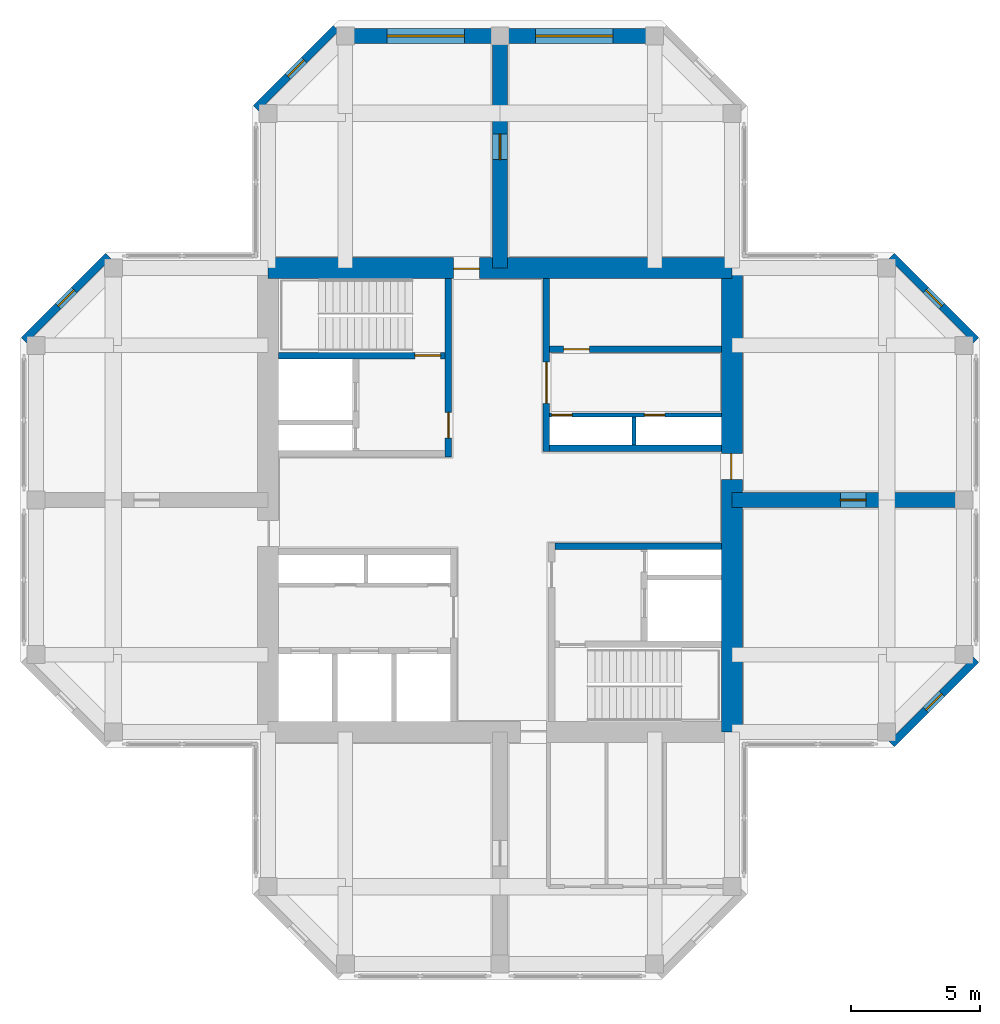
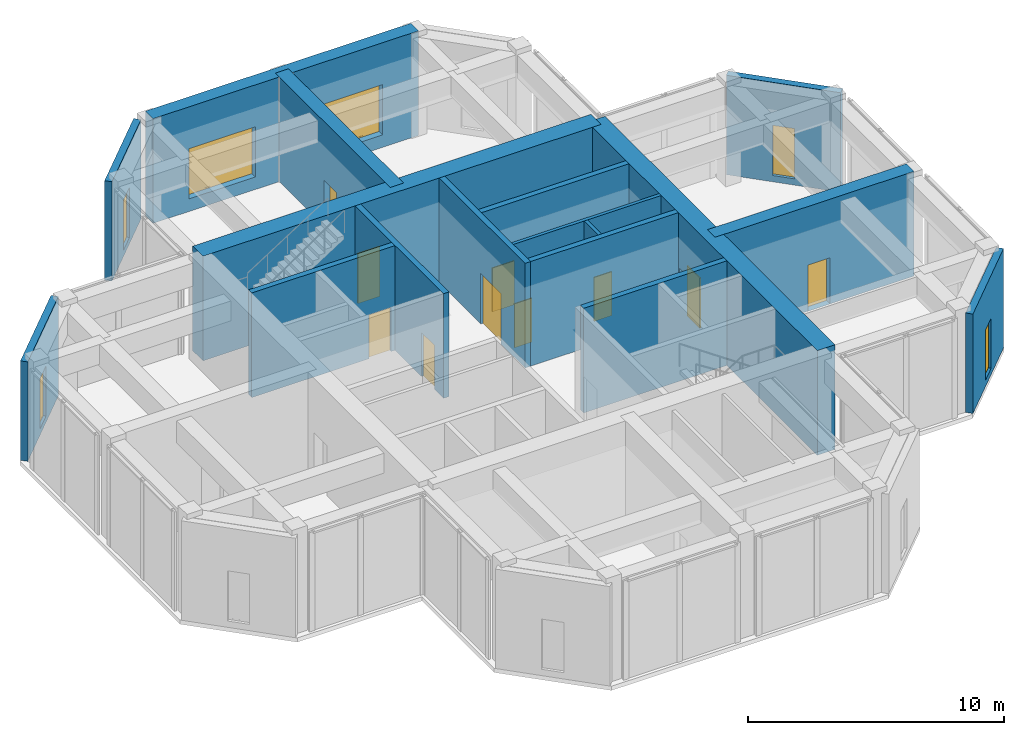
# One storey, part 6 of 8: 17 walls, 10 doors, 6 windows, 16 openings.
"""IFC4 building model written with IfcOpenShell, lengths in metres."""

from ifc_helpers import new_model, si_unit, direction, frame, frame_2d, origin, place, context, subcontext, project, spatial, rectangle, hollow_rectangle, extrude, material, layer, layer_set, constituent, constituent_set, type_object, element, fill, save


model = new_model("IFC4")

# Units and contexts
model_context = context("Model", 3, precision=1e-05, world=origin(), true_north=direction((0.0, 1.0)))
body_context = subcontext(model_context, "Body", "Model", "MODEL_VIEW")
ifc_project = project(units=[si_unit("LENGTHUNIT", "METRE"), si_unit("AREAUNIT", "SQUARE_METRE"), si_unit("VOLUMEUNIT", "CUBIC_METRE"), si_unit("PLANEANGLEUNIT", "RADIAN"), si_unit("MASSUNIT", "GRAM", prefix="KILO")], contexts=[model_context])

# Site, building, storey
site_placement = place(None, origin())
site = spatial("IfcSite", under=ifc_project, at=site_placement, CompositionType="ELEMENT")
building_placement = place(site_placement, origin())
building = spatial("IfcBuilding", under=site, at=building_placement, Name="Torre Cruceta", CompositionType="ELEMENT")
storey_placement = place(building_placement, frame((0.0, 0.0, 288.300048828125)))
storey = spatial("IfcBuildingStorey", under=building, at=storey_placement, Name="L75", CompositionType="ELEMENT", Elevation=288.300048828125)

# Wall, opening, door
ifc_material_1 = material(Name="Concrete G60 (fck 60 MPa)", Category="concrete")
ifc_layer_1 = layer(ifc_material_1, 0.25)
ifc_layer_set_1 = layer_set([ifc_layer_1], Name="Concrete G60 (fck 60 MPa)")
wall_type_1 = type_object("IfcWallType", Name="CORE INNER WALL 250 G60", PredefinedType="SHEAR", material=ifc_layer_set_1)
wall_1_placement = place(storey_placement, frame((1.800048828125, 1.875, 0.0), z_axis=(0.0, 0.0, 1.0), x_axis=(0.0, 1.0, 0.0)))
wall_1 = element("IfcWall", 1, at=wall_1_placement, inside=storey, type_object=wall_type_1, Name="CW4 L75 NE-CU", PredefinedType="SHEAR", context=body_context, shape_type="SweptSolid", body=[
    extrude(rectangle(XDim=6.72509765625, YDim=0.25, at=frame_2d((3.362548828125, 0.0))), origin(), (0.0, 0.0, 1.0), 5.0),
])
opening_1_placement = place(wall_1_placement, frame((1.875, 0.0, 0.0)))
opening_1 = element("IfcOpeningElement", 2, at=opening_1_placement, cuts=wall_1, Name="Opening D15", PredefinedType="OPENING", context=body_context, shape_type="SweptSolid", body=[
    extrude(rectangle(XDim=1.60009765625, YDim=2.39990234375, at=frame_2d((0.800048828125, 1.199951171875))), frame((0.0, 0.135009765625, 0.0), z_axis=(0.0, -1.0, 0.0), x_axis=(1.0, 0.0, 0.0)), (0.0, 0.0, 1.0), 0.27001953125),
])
ifc_material_2 = material(Name="Steel DX51D", Category="steel")
ifc_constituent_1 = constituent(ifc_material_2, Name="Leaf and frame")
ifc_material_3 = material(Name="Polyester powder coating", Category="paint")
ifc_constituent_2 = constituent(ifc_material_3, Name="Finish")
ifc_constituent_set_1 = constituent_set(constituents=[ifc_constituent_1, ifc_constituent_2], Name="Steel fire door")
door_type_1 = type_object("IfcDoorType", Name="CORE ROOM DOUBLE DOOR 1600X2400", OperationType="DOUBLE_DOOR_SINGLE_SWING", PredefinedType="DOOR", material=ifc_constituent_set_1)
door_1_placement = place(opening_1_placement, frame((1.60009765625, 0.0, 0.0), z_axis=(0.0, 0.0, 1.0), x_axis=(-1.0, 0.0, 0.0)))
door_1 = element("IfcDoor", 3, at=door_1_placement, inside=storey, type_object=door_type_1, Name="D15 L75 NE-LOBBY", OperationType="DOUBLE_DOOR_SINGLE_SWING", OverallHeight=2.39990234375, OverallWidth=1.60009765625, PredefinedType="DOOR", context=body_context, shape_type="SweptSolid", body=[
    extrude(rectangle(XDim=1.60009765625, YDim=2.39990234375, at=frame_2d((0.800048828125, 1.199951171875))), frame((0.0, 0.025146484375, 0.0), z_axis=(0.0, -1.0, 0.0), x_axis=(1.0, 0.0, 0.0)), (0.0, 0.0, 1.0), 0.050048828125),
])
fill(opening_1, door_1)

# Wall
wall_2_placement = place(storey_placement, frame((1.925048828125, 2.0, 0.0), z_axis=(0.0, 0.0, 1.0), x_axis=(1.0, 0.0, 0.0)))
element("IfcWall", 4, at=wall_2_placement, inside=storey, type_object=wall_type_1, Name="CW4 L75 NE-CV", PredefinedType="SHEAR", context=body_context, shape_type="SweptSolid", body=[
    extrude(rectangle(XDim=6.675048828125, YDim=0.25, at=frame_2d((3.33740234375, 0.0))), origin(), (0.0, 0.0, 1.0), 5.0),
])

# Wall, opening, door
wall_3_placement = place(storey_placement, frame((1.925048828125, 5.85009765625, 0.0), z_axis=(0.0, 0.0, 1.0), x_axis=(1.0, 0.0, 0.0)))
wall_3 = element("IfcWall", 5, at=wall_3_placement, inside=storey, type_object=wall_type_1, Name="CW4 L75 NE-LV", PredefinedType="SHEAR", context=body_context, shape_type="SweptSolid", body=[
    extrude(rectangle(XDim=6.675048828125, YDim=0.25, at=frame_2d((3.33740234375, 0.0))), origin(), (0.0, 0.0, 1.0), 5.0),
])
opening_2_placement = place(wall_3_placement, frame((0.5458984375, 0.0, 0.0)))
opening_2 = element("IfcOpeningElement", 6, at=opening_2_placement, cuts=wall_3, Name="Opening D3", PredefinedType="OPENING", context=body_context, shape_type="SweptSolid", body=[
    extrude(rectangle(XDim=1.0, YDim=2.10009765625, at=frame_2d((0.5, 1.050048828125))), frame((0.0, 0.135009765625, 0.0), z_axis=(0.0, -1.0, 0.0), x_axis=(1.0, 0.0, 0.0)), (0.0, 0.0, 1.0), 0.27001953125),
])
ifc_material_4 = material(Name="Steel DX51D", Category="steel")
ifc_constituent_3 = constituent(ifc_material_4, Name="Leaf and frame")
ifc_material_5 = material(Name="Polyester powder coating", Category="paint")
ifc_constituent_4 = constituent(ifc_material_5, Name="Finish")
ifc_constituent_set_2 = constituent_set(constituents=[ifc_constituent_3, ifc_constituent_4], Name="Steel fire door")
door_type_2 = type_object("IfcDoorType", Name="FIRE DOOR 1000X2100", OperationType="SINGLE_SWING_LEFT", PredefinedType="DOOR", material=ifc_constituent_set_2)
door_2_placement = place(opening_2_placement, origin())
door_2 = element("IfcDoor", 7, at=door_2_placement, inside=storey, type_object=door_type_2, Name="D3 L75 NE-HR1", OperationType="SINGLE_SWING_LEFT", OverallHeight=2.10009765625, OverallWidth=1.0, PredefinedType="DOOR", context=body_context, shape_type="SweptSolid", body=[
    extrude(rectangle(XDim=1.0, YDim=2.10009765625, at=frame_2d((0.5, 1.050048828125))), frame((0.0, 0.02490234375, 0.0), z_axis=(0.0, -1.0, 0.0), x_axis=(1.0, 0.0, 0.0)), (0.0, 0.0, 1.0), 0.050048828125),
])
fill(opening_2, door_2)

wall_4_placement = place(storey_placement, frame((-2.0, 1.675048828125, 0.0), z_axis=(0.0, 0.0, 1.0), x_axis=(0.0, 1.0, 0.0)))
wall_4 = element("IfcWall", 8, at=wall_4_placement, inside=storey, type_object=wall_type_1, Name="CW4 L75 NW-CU", PredefinedType="SHEAR", context=body_context, shape_type="SweptSolid", body=[
    extrude(rectangle(XDim=6.925048828125, YDim=0.25, at=frame_2d((3.46240234375, 0.0))), origin(), (0.0, 0.0, 1.0), 5.0),
])
opening_3_placement = place(wall_4_placement, frame((0.72509765625, 0.0, 0.0)))
opening_3 = element("IfcOpeningElement", 9, at=opening_3_placement, cuts=wall_4, Name="Opening D3", PredefinedType="OPENING", context=body_context, shape_type="SweptSolid", body=[
    extrude(rectangle(XDim=1.0, YDim=2.10009765625, at=frame_2d((0.5, 1.050048828125))), frame((0.0, 0.135009765625, 0.0), z_axis=(0.0, -1.0, 0.0), x_axis=(1.0, 0.0, 0.0)), (0.0, 0.0, 1.0), 0.27001953125),
])
door_3_placement = place(opening_3_placement, origin())
door_3 = element("IfcDoor", 10, at=door_3_placement, inside=storey, type_object=door_type_2, Name="D3 L75 NW-LOBBY", OperationType="SINGLE_SWING_LEFT", OverallHeight=2.10009765625, OverallWidth=1.0, PredefinedType="DOOR", context=body_context, shape_type="SweptSolid", body=[
    extrude(rectangle(XDim=1.0, YDim=2.10009765625, at=frame_2d((0.5, 1.050048828125))), frame((0.0, 0.02490234375, 0.0), z_axis=(0.0, -1.0, 0.0), x_axis=(1.0, 0.0, 0.0)), (0.0, 0.0, 1.0), 0.050048828125),
])
fill(opening_3, door_3)

wall_5_placement = place(storey_placement, frame((-2.125, 5.60009765625, 0.0), z_axis=(0.0, 0.0, 1.0), x_axis=(-1.0, 0.0, 0.0)))
wall_5 = element("IfcWall", 11, at=wall_5_placement, inside=storey, type_object=wall_type_1, Name="CW4 L75 NW-SV", PredefinedType="SHEAR", context=body_context, shape_type="SweptSolid", body=[
    extrude(rectangle(XDim=6.47509765625, YDim=0.25, at=frame_2d((3.237548828125, 0.0))), origin(), (0.0, 0.0, 1.0), 5.0),
])
opening_4_placement = place(wall_5_placement, frame((0.175048828125, 0.0, 0.0)))
opening_4 = element("IfcOpeningElement", 12, at=opening_4_placement, cuts=wall_5, Name="Opening D3", PredefinedType="OPENING", context=body_context, shape_type="SweptSolid", body=[
    extrude(rectangle(XDim=1.0, YDim=2.10009765625, at=frame_2d((0.5, 1.050048828125))), frame((0.0, 0.135009765625, 0.0), z_axis=(0.0, -1.0, 0.0), x_axis=(1.0, 0.0, 0.0)), (0.0, 0.0, 1.0), 0.27001953125),
])
door_4_placement = place(opening_4_placement, frame((1.0, 0.0, 0.0), z_axis=(0.0, 0.0, 1.0), x_axis=(-1.0, 0.0, 0.0)))
door_4 = element("IfcDoor", 13, at=door_4_placement, inside=storey, type_object=door_type_2, Name="D3 L75 NW-STAIR", OperationType="SINGLE_SWING_RIGHT", OverallHeight=2.10009765625, OverallWidth=1.0, PredefinedType="DOOR", context=body_context, shape_type="SweptSolid", body=[
    extrude(rectangle(XDim=1.0, YDim=2.10009765625, at=frame_2d((0.5, 1.050048828125))), frame((0.0, 0.025146484375, 0.0), z_axis=(0.0, -1.0, 0.0), x_axis=(1.0, 0.0, 0.0)), (0.0, 0.0, 1.0), 0.050048828125),
])
fill(opening_4, door_4)

# Wall
wall_6_placement = place(storey_placement, frame((2.125, -1.800048828125, 0.0), z_axis=(0.0, 0.0, 1.0), x_axis=(1.0, 0.0, 0.0)))
element("IfcWall", 14, at=wall_6_placement, inside=storey, type_object=wall_type_1, Name="CW4 L75 SE-CV", PredefinedType="SHEAR", context=body_context, shape_type="SweptSolid", body=[
    extrude(rectangle(XDim=6.47509765625, YDim=0.25, at=frame_2d((3.237548828125, 0.0))), origin(), (0.0, 0.0, 1.0), 5.0),
])

# Wall, opening, door
ifc_material_6 = material(Name="Concrete G60 (fck 60 MPa)", Category="concrete")
ifc_layer_2 = layer(ifc_material_6, 0.800048828125)
ifc_layer_set_2 = layer_set([ifc_layer_2], Name="Concrete G60 (fck 60 MPa)")
wall_type_2 = type_object("IfcWallType", Name="CORE WALL 800 G60", PredefinedType="SHEAR", material=ifc_layer_set_2)
wall_7_placement = place(storey_placement, frame((9.0, 9.0, 0.0), z_axis=(0.0, 0.0, 1.0), x_axis=(-1.0, 0.0, 0.0)))
wall_7 = element("IfcWall", 15, at=wall_7_placement, inside=storey, type_object=wall_type_2, Name="CW3 L75 CW-N", PredefinedType="SHEAR", context=body_context, shape_type="SweptSolid", body=[
    extrude(rectangle(XDim=18.0, YDim=0.800048828125, at=frame_2d((9.0, 0.0))), origin(), (0.0, 0.0, 1.0), 5.0),
])
opening_5_placement = place(wall_7_placement, frame((9.800048828125, 0.0, 0.0)))
opening_5 = element("IfcOpeningElement", 16, at=opening_5_placement, cuts=wall_7, Name="Opening D4", PredefinedType="OPENING", context=body_context, shape_type="SweptSolid", body=[
    extrude(rectangle(XDim=1.0, YDim=2.39990234375, at=frame_2d((0.5, 1.199951171875))), frame((0.0, 0.409912109375, 0.0), z_axis=(0.0, -1.0, 0.0), x_axis=(1.0, 0.0, 0.0)), (0.0, 0.0, 1.0), 0.820068359375),
])
ifc_material_7 = material(Name="Steel DX51D", Category="steel")
ifc_constituent_5 = constituent(ifc_material_7, Name="Leaf and frame")
ifc_material_8 = material(Name="Polyester powder coating", Category="paint")
ifc_constituent_6 = constituent(ifc_material_8, Name="Finish")
ifc_constituent_set_3 = constituent_set(constituents=[ifc_constituent_5, ifc_constituent_6], Name="Steel fire door")
door_type_3 = type_object("IfcDoorType", Name="CORE ARM DOOR 1000X2400", OperationType="SINGLE_SWING_RIGHT", PredefinedType="DOOR", material=ifc_constituent_set_3)
door_5_placement = place(opening_5_placement, frame((1.0, 0.0, 0.0), z_axis=(0.0, 0.0, 1.0), x_axis=(-1.0, 0.0, 0.0)))
door_5 = element("IfcDoor", 17, at=door_5_placement, inside=storey, type_object=door_type_3, Name="D4 L75 CW-N", OperationType="SINGLE_SWING_RIGHT", OverallHeight=2.39990234375, OverallWidth=1.0, PredefinedType="DOOR", context=body_context, shape_type="SweptSolid", body=[
    extrude(rectangle(XDim=1.0, YDim=2.39990234375, at=frame_2d((0.5, 1.199951171875))), frame((0.0, -0.005126953125, 0.0), z_axis=(0.0, -1.0, 0.0), x_axis=(1.0, 0.0, 0.0)), (0.0, 0.0, 1.0), 0.050048828125),
])
fill(opening_5, door_5)

wall_8_placement = place(storey_placement, frame((9.0, -9.0, 0.0), z_axis=(0.0, 0.0, 1.0), x_axis=(0.0, 1.0, 0.0)))
wall_8 = element("IfcWall", 18, at=wall_8_placement, inside=storey, type_object=wall_type_2, Name="CW3 L75 CW-E", PredefinedType="SHEAR", context=body_context, shape_type="SweptSolid", body=[
    extrude(rectangle(XDim=18.0, YDim=0.800048828125, at=frame_2d((9.0, 0.0))), origin(), (0.0, 0.0, 1.0), 5.0),
])
opening_6_placement = place(wall_8_placement, frame((9.800048828125, 0.0, 0.0)))
opening_6 = element("IfcOpeningElement", 19, at=opening_6_placement, cuts=wall_8, Name="Opening D4", PredefinedType="OPENING", context=body_context, shape_type="SweptSolid", body=[
    extrude(rectangle(XDim=1.0, YDim=2.39990234375, at=frame_2d((0.5, 1.199951171875))), frame((0.0, 0.409912109375, 0.0), z_axis=(0.0, -1.0, 0.0), x_axis=(1.0, 0.0, 0.0)), (0.0, 0.0, 1.0), 0.820068359375),
])
door_6_placement = place(opening_6_placement, frame((1.0, 0.0, 0.0), z_axis=(0.0, 0.0, 1.0), x_axis=(-1.0, 0.0, 0.0)))
door_6 = element("IfcDoor", 20, at=door_6_placement, inside=storey, type_object=door_type_3, Name="D4 L75 CW-E", OperationType="SINGLE_SWING_RIGHT", OverallHeight=2.39990234375, OverallWidth=1.0, PredefinedType="DOOR", context=body_context, shape_type="SweptSolid", body=[
    extrude(rectangle(XDim=1.0, YDim=2.39990234375, at=frame_2d((0.5, 1.199951171875))), frame((0.0, -0.005126953125, 0.0), z_axis=(0.0, -1.0, 0.0), x_axis=(1.0, 0.0, 0.0)), (0.0, 0.0, 1.0), 0.050048828125),
])
fill(opening_6, door_6)

# Wall, opening, window
ifc_material_9 = material(Name="Concrete G30 (fck 30 MPa)", Category="concrete")
ifc_layer_3 = layer(ifc_material_9, 0.300048828125)
ifc_layer_set_3 = layer_set([ifc_layer_3], Name="Concrete G30 (fck 30 MPa)")
wall_type_3 = type_object("IfcWallType", Name="EXPOSED CONCRETE FACADE WALL 300", PredefinedType="SOLIDWALL", material=ifc_layer_set_3)
wall_9_placement = place(storey_placement, frame((15.194580078125, -9.469970703125, 0.0), z_axis=(0.0, 0.0, 1.0), x_axis=(0.707106781187, 0.707106781187, 0.0)))
wall_9 = element("IfcWall", 21, at=wall_9_placement, inside=storey, type_object=wall_type_3, Name="EW1 facade wall L75 E chamfer 01", PredefinedType="SOLIDWALL", context=body_context, shape_type="SweptSolid", body=[
    extrude(rectangle(XDim=4.632080078125, YDim=0.300048828125, at=frame_2d((2.31591796875, 0.0))), origin(), (0.0, 0.0, 1.0), 4.75),
])
opening_7_placement = place(wall_9_placement, frame((1.865966796875, 0.0, 0.300048828125)))
opening_7 = element("IfcOpeningElement", 22, at=opening_7_placement, cuts=wall_9, Name="Opening WN5", PredefinedType="OPENING", context=body_context, shape_type="SweptSolid", body=[
    extrude(rectangle(XDim=0.89990234375, YDim=2.39990234375, at=frame_2d((0.449951171875, 1.199951171875))), frame((0.0, 0.159912109375, 0.0), z_axis=(0.0, -1.0, 0.0), x_axis=(1.0, 0.0, 0.0)), (0.0, 0.0, 1.0), 0.320068359375),
])
ifc_material_10 = material(Name="Aluminium window frame", Category="aluminium")
ifc_constituent_7 = constituent(ifc_material_10, Name="Frame")
ifc_material_11 = material(Name="Laminated insulating glass unit, low-iron clear", Category="glass")
ifc_constituent_8 = constituent(ifc_material_11, Name="Glazing")
ifc_constituent_set_4 = constituent_set(constituents=[ifc_constituent_7, ifc_constituent_8], Name="Aluminium window")
window_type_1 = type_object("IfcWindowType", Name="CHAMFER SLOT WINDOW 900X2400", PartitioningType="SINGLE_PANEL", PredefinedType="WINDOW", material=ifc_constituent_set_4)
window_1_placement = place(opening_7_placement, origin())
window_1 = element("IfcWindow", 23, at=window_1_placement, inside=storey, type_object=window_type_1, Name="WN5 L75 E 1", OverallHeight=2.39990234375, OverallWidth=0.89990234375, PartitioningType="SINGLE_PANEL", PredefinedType="WINDOW", context=body_context, shape_type="SweptSolid", body=[
    extrude(hollow_rectangle(XDim=0.89990234375, YDim=2.39990234375, WallThickness=0.06005859375, at=frame_2d((0.449951171875, 1.199951171875))), frame((0.0, 0.030029296875, 0.0), z_axis=(0.0, -1.0, 0.0), x_axis=(1.0, 0.0, 0.0)), (0.0, 0.0, 1.0), 0.06005859375),
    extrude(rectangle(XDim=0.77880859375, YDim=2.27880859375, at=frame_2d((0.449951171875, 1.199951171875))), frame((0.0, 0.030029296875, 0.0), z_axis=(0.0, -1.0, 0.0), x_axis=(1.0, 0.0, 0.0)), (0.0, 0.0, 1.0), 0.06005859375),
])
fill(opening_7, window_1)

wall_10_placement = place(storey_placement, frame((18.469970703125, 6.194580078125, 0.0), z_axis=(0.0, 0.0, 1.0), x_axis=(-0.707106781187, 0.707106781187, 0.0)))
wall_10 = element("IfcWall", 24, at=wall_10_placement, inside=storey, type_object=wall_type_3, Name="EW1 facade wall L75 E chamfer 03", PredefinedType="SOLIDWALL", context=body_context, shape_type="SweptSolid", body=[
    extrude(rectangle(XDim=4.632080078125, YDim=0.300048828125, at=frame_2d((2.31591796875, 0.0))), origin(), (0.0, 0.0, 1.0), 4.75),
])
opening_8_placement = place(wall_10_placement, frame((1.865966796875, 0.0, 0.300048828125)))
opening_8 = element("IfcOpeningElement", 25, at=opening_8_placement, cuts=wall_10, Name="Opening WN5", PredefinedType="OPENING", context=body_context, shape_type="SweptSolid", body=[
    extrude(rectangle(XDim=0.89990234375, YDim=2.39990234375, at=frame_2d((0.449951171875, 1.199951171875))), frame((0.0, 0.159912109375, 0.0), z_axis=(0.0, -1.0, 0.0), x_axis=(1.0, 0.0, 0.0)), (0.0, 0.0, 1.0), 0.320068359375),
])
window_2_placement = place(opening_8_placement, origin())
window_2 = element("IfcWindow", 26, at=window_2_placement, inside=storey, type_object=window_type_1, Name="WN5 L75 E 1", OverallHeight=2.39990234375, OverallWidth=0.89990234375, PartitioningType="SINGLE_PANEL", PredefinedType="WINDOW", context=body_context, shape_type="SweptSolid", body=[
    extrude(hollow_rectangle(XDim=0.89990234375, YDim=2.39990234375, WallThickness=0.06005859375, at=frame_2d((0.449951171875, 1.199951171875))), frame((0.0, 0.030029296875, 0.0), z_axis=(0.0, -1.0, 0.0), x_axis=(1.0, 0.0, 0.0)), (0.0, 0.0, 1.0), 0.06005859375),
    extrude(rectangle(XDim=0.77880859375, YDim=2.27880859375, at=frame_2d((0.449951171875, 1.199951171875))), frame((0.0, 0.030029296875, 0.0), z_axis=(0.0, -1.0, 0.0), x_axis=(1.0, 0.0, 0.0)), (0.0, 0.0, 1.0), 0.06005859375),
])
fill(opening_8, window_2)

wall_11_placement = place(storey_placement, frame((-6.36474609375, 18.300048828125, 0.0), z_axis=(0.0, 0.0, 1.0), x_axis=(-0.70707898447, -0.707134576811, 0.0)))
wall_11 = element("IfcWall", 27, at=wall_11_placement, inside=storey, type_object=wall_type_3, Name="EW1 facade wall L75 N chamfer 08", PredefinedType="SOLIDWALL", context=body_context, shape_type="SweptSolid", body=[
    extrude(rectangle(XDim=4.3916015625, YDim=0.300048828125, at=frame_2d((2.19580078125, 0.0))), origin(), (0.0, 0.0, 1.0), 4.75),
])
opening_9_placement = place(wall_11_placement, frame((1.745849609375, 0.0, 0.300048828125)))
opening_9 = element("IfcOpeningElement", 28, at=opening_9_placement, cuts=wall_11, Name="Opening WN5", PredefinedType="OPENING", context=body_context, shape_type="SweptSolid", body=[
    extrude(rectangle(XDim=0.89990234375, YDim=2.39990234375, at=frame_2d((0.449951171875, 1.199951171875))), frame((0.0, 0.159912109375, 0.0), z_axis=(0.0, -1.0, 0.0), x_axis=(1.0, 0.0, 0.0)), (0.0, 0.0, 1.0), 0.320068359375),
])
window_3_placement = place(opening_9_placement, origin())
window_3 = element("IfcWindow", 29, at=window_3_placement, inside=storey, type_object=window_type_1, Name="WN5 L75 N 1", OverallHeight=2.39990234375, OverallWidth=0.89990234375, PartitioningType="SINGLE_PANEL", PredefinedType="WINDOW", context=body_context, shape_type="SweptSolid", body=[
    extrude(hollow_rectangle(XDim=0.89990234375, YDim=2.39990234375, WallThickness=0.06005859375, at=frame_2d((0.449951171875, 1.199951171875))), frame((0.0, 0.030029296875, 0.0), z_axis=(0.0, -1.0, 0.0), x_axis=(1.0, 0.0, 0.0)), (0.0, 0.0, 1.0), 0.06005859375),
    extrude(rectangle(XDim=0.77880859375, YDim=2.27880859375, at=frame_2d((0.449951171875, 1.199951171875))), frame((0.0, 0.030029296875, 0.0), z_axis=(0.0, -1.0, 0.0), x_axis=(1.0, 0.0, 0.0)), (0.0, 0.0, 1.0), 0.06005859375),
])
fill(opening_9, window_3)

wall_12_placement = place(storey_placement, frame((-15.194580078125, 9.469970703125, 0.0), z_axis=(0.0, 0.0, 1.0), x_axis=(-0.707106781187, -0.707106781187, 0.0)))
wall_12 = element("IfcWall", 30, at=wall_12_placement, inside=storey, type_object=wall_type_3, Name="EW1 facade wall L75 W chamfer 11", PredefinedType="SOLIDWALL", context=body_context, shape_type="SweptSolid", body=[
    extrude(rectangle(XDim=4.632080078125, YDim=0.300048828125, at=frame_2d((2.31591796875, 0.0))), origin(), (0.0, 0.0, 1.0), 4.75),
])
opening_10_placement = place(wall_12_placement, frame((1.865966796875, 0.0, 0.300048828125)))
opening_10 = element("IfcOpeningElement", 31, at=opening_10_placement, cuts=wall_12, Name="Opening WN5", PredefinedType="OPENING", context=body_context, shape_type="SweptSolid", body=[
    extrude(rectangle(XDim=0.89990234375, YDim=2.39990234375, at=frame_2d((0.449951171875, 1.199951171875))), frame((0.0, 0.159912109375, 0.0), z_axis=(0.0, -1.0, 0.0), x_axis=(1.0, 0.0, 0.0)), (0.0, 0.0, 1.0), 0.320068359375),
])
window_4_placement = place(opening_10_placement, origin())
window_4 = element("IfcWindow", 32, at=window_4_placement, inside=storey, type_object=window_type_1, Name="WN5 L75 W 1", OverallHeight=2.39990234375, OverallWidth=0.89990234375, PartitioningType="SINGLE_PANEL", PredefinedType="WINDOW", context=body_context, shape_type="SweptSolid", body=[
    extrude(hollow_rectangle(XDim=0.89990234375, YDim=2.39990234375, WallThickness=0.06005859375, at=frame_2d((0.449951171875, 1.199951171875))), frame((0.0, 0.030029296875, 0.0), z_axis=(0.0, -1.0, 0.0), x_axis=(1.0, 0.0, 0.0)), (0.0, 0.0, 1.0), 0.06005859375),
    extrude(rectangle(XDim=0.77880859375, YDim=2.27880859375, at=frame_2d((0.449951171875, 1.199951171875))), frame((0.0, 0.030029296875, 0.0), z_axis=(0.0, -1.0, 0.0), x_axis=(1.0, 0.0, 0.0)), (0.0, 0.0, 1.0), 0.06005859375),
])
fill(opening_10, window_4)

# Wall, openings, windows
ifc_material_12 = material(Name="Concrete G60 (fck 60 MPa)", Category="concrete")
ifc_layer_4 = layer(ifc_material_12, 0.60009765625)
ifc_layer_set_4 = layer_set([ifc_layer_4], Name="Concrete G60 (fck 60 MPa)")
wall_type_4 = type_object("IfcWallType", Name="NOSE WALL 600 G60", PredefinedType="SHEAR", material=ifc_layer_set_4)
wall_13_placement = place(storey_placement, frame((6.0, 18.0, 0.0), z_axis=(0.0, 0.0, 1.0), x_axis=(-1.0, 0.0, 0.0)))
wall_13 = element("IfcWall", 33, at=wall_13_placement, inside=storey, type_object=wall_type_4, Name="NW3 nose wall L75 N", PredefinedType="SHEAR", context=body_context, shape_type="SweptSolid", body=[
    extrude(rectangle(XDim=12.0, YDim=0.60009765625, at=frame_2d((6.0, 0.0))), origin(), (0.0, 0.0, 1.0), 5.0),
])
opening_11_placement = place(wall_13_placement, frame((1.625, 0.0, 0.60009765625)))
opening_11 = element("IfcOpeningElement", 34, at=opening_11_placement, cuts=wall_13, Name="Opening WN6", PredefinedType="OPENING", context=body_context, shape_type="SweptSolid", body=[
    extrude(rectangle(XDim=3.0, YDim=2.39990234375, at=frame_2d((1.5, 1.199951171875))), frame((0.0, 0.31005859375, 0.0), z_axis=(0.0, -1.0, 0.0), x_axis=(1.0, 0.0, 0.0)), (0.0, 0.0, 1.0), 0.6201171875),
])
opening_12_placement = place(wall_13_placement, frame((7.375, 0.0, 0.60009765625)))
opening_12 = element("IfcOpeningElement", 35, at=opening_12_placement, cuts=wall_13, Name="Opening WN6", PredefinedType="OPENING", context=body_context, shape_type="SweptSolid", body=[
    extrude(rectangle(XDim=3.0, YDim=2.39990234375, at=frame_2d((1.5, 1.199951171875))), frame((0.0, 0.31005859375, 0.0), z_axis=(0.0, -1.0, 0.0), x_axis=(1.0, 0.0, 0.0)), (0.0, 0.0, 1.0), 0.6201171875),
])
ifc_material_13 = material(Name="Aluminium window frame", Category="aluminium")
ifc_constituent_9 = constituent(ifc_material_13, Name="Frame")
ifc_material_14 = material(Name="Laminated insulating glass unit, low-iron clear", Category="glass")
ifc_constituent_10 = constituent(ifc_material_14, Name="Glazing")
ifc_constituent_set_5 = constituent_set(constituents=[ifc_constituent_9, ifc_constituent_10], Name="Aluminium window")
window_type_2 = type_object("IfcWindowType", Name="NOSE WALL WINDOW 3000X2400", PartitioningType="SINGLE_PANEL", PredefinedType="WINDOW", material=ifc_constituent_set_5)
window_5_placement = place(opening_11_placement, origin())
window_5 = element("IfcWindow", 36, at=window_5_placement, inside=storey, type_object=window_type_2, Name="WN6 L75 N 1", OverallHeight=2.39990234375, OverallWidth=3.0, PartitioningType="SINGLE_PANEL", PredefinedType="WINDOW", context=body_context, shape_type="SweptSolid", body=[
    extrude(hollow_rectangle(XDim=3.0, YDim=2.39990234375, WallThickness=0.06005859375, at=frame_2d((1.5, 1.199951171875))), frame((0.0, 0.030029296875, 0.0), z_axis=(0.0, -1.0, 0.0), x_axis=(1.0, 0.0, 0.0)), (0.0, 0.0, 1.0), 0.06005859375),
    extrude(rectangle(XDim=2.87890625, YDim=2.27880859375, at=frame_2d((1.5, 1.199951171875))), frame((0.0, 0.030029296875, 0.0), z_axis=(0.0, -1.0, 0.0), x_axis=(1.0, 0.0, 0.0)), (0.0, 0.0, 1.0), 0.06005859375),
])
fill(opening_11, window_5)
window_6_placement = place(opening_12_placement, origin())
window_6 = element("IfcWindow", 37, at=window_6_placement, inside=storey, type_object=window_type_2, Name="WN6 L75 N 2", OverallHeight=2.39990234375, OverallWidth=3.0, PartitioningType="SINGLE_PANEL", PredefinedType="WINDOW", context=body_context, shape_type="SweptSolid", body=[
    extrude(hollow_rectangle(XDim=3.0, YDim=2.39990234375, WallThickness=0.06005859375, at=frame_2d((1.5, 1.199951171875))), frame((0.0, 0.030029296875, 0.0), z_axis=(0.0, -1.0, 0.0), x_axis=(1.0, 0.0, 0.0)), (0.0, 0.0, 1.0), 0.06005859375),
    extrude(rectangle(XDim=2.87890625, YDim=2.27880859375, at=frame_2d((1.5, 1.199951171875))), frame((0.0, 0.030029296875, 0.0), z_axis=(0.0, -1.0, 0.0), x_axis=(1.0, 0.0, 0.0)), (0.0, 0.0, 1.0), 0.06005859375),
])
fill(opening_12, window_6)

# Wall, openings, doors
ifc_material_15 = material(Name="Concrete block masonry", Category="masonry")
ifc_layer_5 = layer(ifc_material_15, 0.14990234375)
ifc_layer_set_5 = layer_set([ifc_layer_5], Name="Concrete block masonry")
wall_type_5 = type_object("IfcWallType", Name="RISER WALL 150", PredefinedType="PARTITIONING", material=ifc_layer_set_5)
wall_14_placement = place(storey_placement, frame((1.925048828125, 3.300048828125, 0.0), z_axis=(0.0, 0.0, 1.0), x_axis=(1.0, 0.0, 0.0)))
wall_14 = element("IfcWall", 38, at=wall_14_placement, inside=storey, type_object=wall_type_5, Name="SW7 L75 NE-RV", PredefinedType="PARTITIONING", context=body_context, shape_type="SweptSolid", body=[
    extrude(rectangle(XDim=6.675048828125, YDim=0.14990234375, at=frame_2d((3.33740234375, 0.0))), origin(), (0.0, 0.0, 1.0), 5.0),
])
opening_13_placement = place(wall_14_placement, frame((0.074951171875, 0.0, 0.0)))
opening_13 = element("IfcOpeningElement", 39, at=opening_13_placement, cuts=wall_14, Name="Opening D5", PredefinedType="OPENING", context=body_context, shape_type="SweptSolid", body=[
    extrude(rectangle(XDim=0.800048828125, YDim=2.10009765625, at=frame_2d((0.39990234375, 1.050048828125))), frame((0.0, 0.0849609375, 0.0), z_axis=(0.0, -1.0, 0.0), x_axis=(1.0, 0.0, 0.0)), (0.0, 0.0, 1.0), 0.169921875),
])
opening_14_placement = place(wall_14_placement, frame((3.675048828125, 0.0, 0.0)))
opening_14 = element("IfcOpeningElement", 40, at=opening_14_placement, cuts=wall_14, Name="Opening D5", PredefinedType="OPENING", context=body_context, shape_type="SweptSolid", body=[
    extrude(rectangle(XDim=0.800048828125, YDim=2.10009765625, at=frame_2d((0.39990234375, 1.050048828125))), frame((0.0, 0.0849609375, 0.0), z_axis=(0.0, -1.0, 0.0), x_axis=(1.0, 0.0, 0.0)), (0.0, 0.0, 1.0), 0.169921875),
])
ifc_material_16 = material(Name="Steel DX51D", Category="steel")
ifc_constituent_11 = constituent(ifc_material_16, Name="Leaf and frame")
ifc_material_17 = material(Name="Polyester powder coating", Category="paint")
ifc_constituent_12 = constituent(ifc_material_17, Name="Finish")
ifc_constituent_set_6 = constituent_set(constituents=[ifc_constituent_11, ifc_constituent_12], Name="Steel fire door")
door_type_4 = type_object("IfcDoorType", Name="RISER ACCESS DOOR 800X2100", OperationType="SINGLE_SWING_LEFT", PredefinedType="DOOR", material=ifc_constituent_set_6)
door_7_placement = place(opening_13_placement, frame((0.800048828125, 0.0, 0.0), z_axis=(0.0, 0.0, 1.0), x_axis=(-1.0, 0.0, 0.0)))
door_7 = element("IfcDoor", 41, at=door_7_placement, inside=storey, type_object=door_type_4, Name="D5 L75 NE-RISER1", OperationType="SINGLE_SWING_RIGHT", OverallHeight=2.10009765625, OverallWidth=0.800048828125, PredefinedType="DOOR", context=body_context, shape_type="SweptSolid", body=[
    extrude(rectangle(XDim=0.800048828125, YDim=2.10009765625, at=frame_2d((0.400146484375, 1.050048828125))), frame((0.0, 0.025146484375, 0.0), z_axis=(0.0, -1.0, 0.0), x_axis=(1.0, 0.0, 0.0)), (0.0, 0.0, 1.0), 0.050048828125),
])
fill(opening_13, door_7)
door_8_placement = place(opening_14_placement, frame((0.800048828125, 0.0, 0.0), z_axis=(0.0, 0.0, 1.0), x_axis=(-1.0, 0.0, 0.0)))
door_8 = element("IfcDoor", 42, at=door_8_placement, inside=storey, type_object=door_type_4, Name="D5 L75 NE-RISER2", OperationType="SINGLE_SWING_RIGHT", OverallHeight=2.10009765625, OverallWidth=0.800048828125, PredefinedType="DOOR", context=body_context, shape_type="SweptSolid", body=[
    extrude(rectangle(XDim=0.800048828125, YDim=2.10009765625, at=frame_2d((0.400146484375, 1.050048828125))), frame((0.0, 0.025146484375, 0.0), z_axis=(0.0, -1.0, 0.0), x_axis=(1.0, 0.0, 0.0)), (0.0, 0.0, 1.0), 0.050048828125),
])
fill(opening_14, door_8)

# Wall
wall_15_placement = place(storey_placement, frame((5.199951171875, 2.125, 0.0), z_axis=(0.0, 0.0, 1.0), x_axis=(0.0, 1.0, 0.0)))
element("IfcWall", 43, at=wall_15_placement, inside=storey, type_object=wall_type_5, Name="SW7 L75 NE-RU", PredefinedType="PARTITIONING", context=body_context, shape_type="SweptSolid", body=[
    extrude(rectangle(XDim=1.10009765625, YDim=0.14990234375, at=frame_2d((0.550048828125, 0.0))), origin(), (0.0, 0.0, 1.0), 5.0),
])

# Wall, opening, door
ifc_material_18 = material(Name="Concrete G60 (fck 60 MPa)", Category="concrete")
ifc_layer_6 = layer(ifc_material_18, 0.60009765625)
ifc_layer_set_6 = layer_set([ifc_layer_6], Name="Concrete G60 (fck 60 MPa)")
wall_type_6 = type_object("IfcWallType", Name="SPINE WALL 600 G60", PredefinedType="SHEAR", material=ifc_layer_set_6)
wall_16_placement = place(storey_placement, frame((0.0, 9.0, 0.0), z_axis=(0.0, 0.0, 1.0), x_axis=(0.0, 1.0, 0.0)))
wall_16 = element("IfcWall", 44, at=wall_16_placement, inside=storey, type_object=wall_type_6, Name="SW5 spine wall L75 N", PredefinedType="SHEAR", context=body_context, shape_type="SweptSolid", body=[
    extrude(rectangle(XDim=9.0, YDim=0.60009765625, at=frame_2d((4.5, 0.0))), origin(), (0.0, 0.0, 1.0), 5.0),
])
opening_15_placement = place(wall_16_placement, frame((4.199951171875, 0.0, 0.0)))
opening_15 = element("IfcOpeningElement", 45, at=opening_15_placement, cuts=wall_16, Name="Opening D14", PredefinedType="OPENING", context=body_context, shape_type="SweptSolid", body=[
    extrude(rectangle(XDim=1.0, YDim=2.199951171875, at=frame_2d((0.5, 1.10009765625))), frame((0.0, 0.31005859375, 0.0), z_axis=(0.0, -1.0, 0.0), x_axis=(1.0, 0.0, 0.0)), (0.0, 0.0, 1.0), 0.6201171875),
])
ifc_material_19 = material(Name="Steel DX51D", Category="steel")
ifc_constituent_13 = constituent(ifc_material_19, Name="Leaf and frame")
ifc_material_20 = material(Name="Polyester powder coating", Category="paint")
ifc_constituent_14 = constituent(ifc_material_20, Name="Finish")
ifc_material_21 = material(Name="Fire-resisting glass", Category="glass")
ifc_constituent_15 = constituent(ifc_material_21, Name="Vision panel")
ifc_constituent_set_7 = constituent_set(constituents=[ifc_constituent_13, ifc_constituent_14, ifc_constituent_15], Name="Steel fire door with vision panel")
door_type_5 = type_object("IfcDoorType", Name="FIRE DOOR VISION PANEL 1000X2200", OperationType="SINGLE_SWING_RIGHT", PredefinedType="DOOR", material=ifc_constituent_set_7)
door_9_placement = place(opening_15_placement, frame((1.0, 0.0, 0.0), z_axis=(0.0, 0.0, 1.0), x_axis=(-1.0, 0.0, 0.0)))
door_9 = element("IfcDoor", 46, at=door_9_placement, inside=storey, type_object=door_type_5, Name="D14 L75-N-SP1", OperationType="SINGLE_SWING_LEFT", OverallHeight=2.199951171875, OverallWidth=1.0, PredefinedType="DOOR", context=body_context, shape_type="SweptSolid", body=[
    extrude(rectangle(XDim=1.0, YDim=2.199951171875, at=frame_2d((0.5, 1.10009765625))), frame((0.0, 0.025146484375, 0.0), z_axis=(0.0, -1.0, 0.0), x_axis=(1.0, 0.0, 0.0)), (0.0, 0.0, 1.0), 0.050048828125),
])
fill(opening_15, door_9)

wall_17_placement = place(storey_placement, frame((9.0, 0.0, 0.0), z_axis=(0.0, 0.0, 1.0), x_axis=(1.0, 0.0, 0.0)))
wall_17 = element("IfcWall", 47, at=wall_17_placement, inside=storey, type_object=wall_type_6, Name="SW5 spine wall L75 E", PredefinedType="SHEAR", context=body_context, shape_type="SweptSolid", body=[
    extrude(rectangle(XDim=9.0, YDim=0.60009765625, at=frame_2d((4.5, 0.0))), origin(), (0.0, 0.0, 1.0), 5.0),
])
opening_16_placement = place(wall_17_placement, frame((4.199951171875, 0.0, 0.0)))
opening_16 = element("IfcOpeningElement", 48, at=opening_16_placement, cuts=wall_17, Name="Opening D14", PredefinedType="OPENING", context=body_context, shape_type="SweptSolid", body=[
    extrude(rectangle(XDim=1.0, YDim=2.199951171875, at=frame_2d((0.5, 1.10009765625))), frame((0.0, 0.31005859375, 0.0), z_axis=(0.0, -1.0, 0.0), x_axis=(1.0, 0.0, 0.0)), (0.0, 0.0, 1.0), 0.6201171875),
])
door_10_placement = place(opening_16_placement, frame((1.0, 0.0, 0.0), z_axis=(0.0, 0.0, 1.0), x_axis=(-1.0, 0.0, 0.0)))
door_10 = element("IfcDoor", 49, at=door_10_placement, inside=storey, type_object=door_type_5, Name="D14 L75-E-SP1", OperationType="SINGLE_SWING_RIGHT", OverallHeight=2.199951171875, OverallWidth=1.0, PredefinedType="DOOR", context=body_context, shape_type="SweptSolid", body=[
    extrude(rectangle(XDim=1.0, YDim=2.199951171875, at=frame_2d((0.5, 1.10009765625))), frame((0.0, 0.025146484375, 0.0), z_axis=(0.0, -1.0, 0.0), x_axis=(1.0, 0.0, 0.0)), (0.0, 0.0, 1.0), 0.050048828125),
])
fill(opening_16, door_10)

save(model, "model.ifc")
